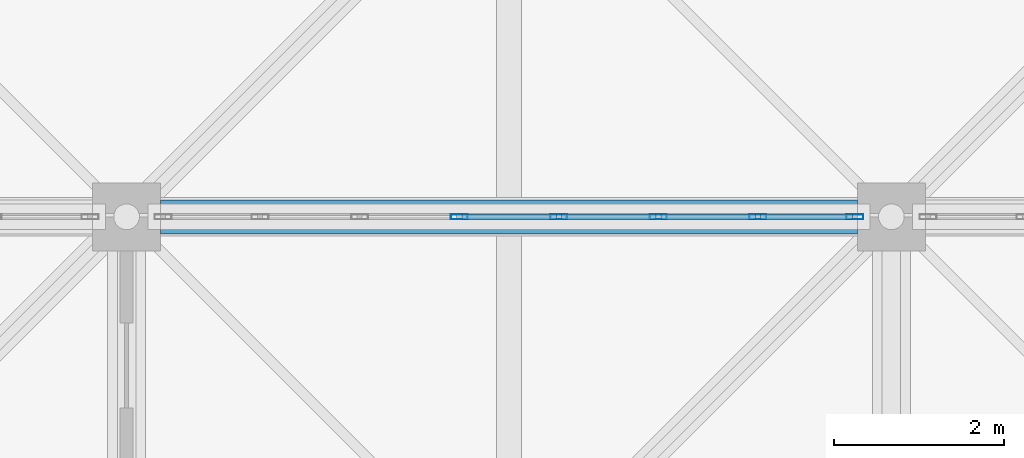
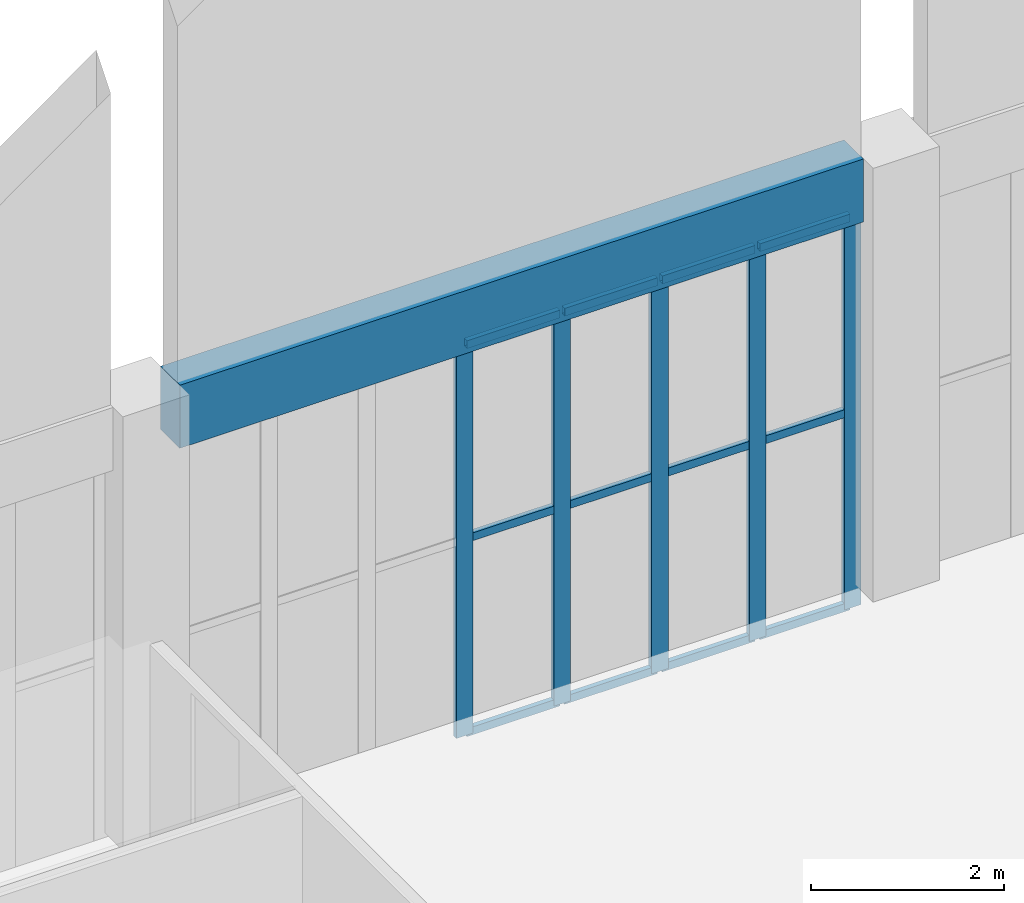
# One storey, part 117 of 437: 17 members, 1 beam, 1 element without a shape of its own.
"""IFC4 building model written with IfcOpenShell, lengths in metres."""

from ifc_helpers import new_model, si_unit, direction, frame, origin, origin_2d, place, context, subcontext, project, spatial, rectangle, hollow_rectangle, extrude, material, layer, layer_set, material_profile, profile_set, type_object, element, aggregate, save


model = new_model("IFC4")

# Units and contexts
model_context = context("Model", 3, precision=1e-05, world=origin(), true_north=direction((0.0, 1.0)))
body_context = subcontext(model_context, "Body", "Model", "MODEL_VIEW")
ifc_project = project(units=[si_unit("LENGTHUNIT", "METRE"), si_unit("AREAUNIT", "SQUARE_METRE"), si_unit("VOLUMEUNIT", "CUBIC_METRE"), si_unit("PLANEANGLEUNIT", "RADIAN"), si_unit("MASSUNIT", "GRAM", prefix="KILO")], contexts=[model_context])

# Site, building, storey
site_placement = place(None, origin())
site = spatial("IfcSite", under=ifc_project, at=site_placement, CompositionType="ELEMENT")
building_placement = place(site_placement, origin())
building = spatial("IfcBuilding", under=site, at=building_placement, Name="Opaline Strait Convention Centre", CompositionType="ELEMENT")
storey_placement = place(building_placement, frame((0.0, 0.0, 11.5)))
storey = spatial("IfcBuildingStorey", under=building, at=storey_placement, Name="L02", CompositionType="ELEMENT", Elevation=11.5)

# Curtain wall, members
ifc_material_1 = material(Name="Aluminium framed double glazing", Category="aluminium")
ifc_layer = layer(ifc_material_1, 0.199951171875)
ifc_layer_set = layer_set([ifc_layer], Name="Aluminium framed double glazing")
curtain_wall_type = type_object("IfcCurtainWallType", Name="Curtain wall 1250", PredefinedType="NOTDEFINED", material=ifc_layer_set)
curtain_wall_placement = place(storey_placement, origin())
curtain_wall = element("IfcCurtainWall", 1, at=curtain_wall_placement, inside=storey, type_object=curtain_wall_type, Name="Curtain wall N-27-L02", PredefinedType="NOTDEFINED")
ifc_material_2 = material(Name="Aluminium alloy 6063", Category="aluminium")
ifc_material_profile_1 = material_profile(ifc_material_2, hollow_rectangle(XDim=0.06005859375, YDim=0.199951171875, WallThickness=0.00390625, at=origin_2d()), Name="MULLION 60x200x4")
ifc_profile_set_1 = profile_set([ifc_material_profile_1], Name="Aluminium alloy 6063")
member_type_1 = type_object("IfcMemberType", Name="Curtain wall mullion 60 x 200", PredefinedType="MULLION", material=ifc_profile_set_1)
member_1_placement = place(storey_placement, frame((30.914306640625, 180.0, -0.280029296875), z_axis=(0.0, 0.0, 1.0), x_axis=(0.0, 1.0, 0.0)))
member_1 = element("IfcMember", 2, at=member_1_placement, type_object=member_type_1, Name="PCW mullion 4", PredefinedType="MULLION", context=body_context, shape_type="SweptSolid", body=[
    extrude(hollow_rectangle(XDim=0.06005859375, YDim=0.199951171875, WallThickness=0.00390625, at=origin_2d()), origin(), (0.0, 0.0, 1.0), 4.97998046875),
])
member_2_placement = place(storey_placement, frame((32.085693359375, 180.0, -0.280029296875), z_axis=(0.0, 0.0, 1.0), x_axis=(0.0, 1.0, 0.0)))
member_2 = element("IfcMember", 3, at=member_2_placement, type_object=member_type_1, Name="PCW mullion 5", PredefinedType="MULLION", context=body_context, shape_type="SweptSolid", body=[
    extrude(hollow_rectangle(XDim=0.06005859375, YDim=0.199951171875, WallThickness=0.00390625, at=origin_2d()), origin(), (0.0, 0.0, 1.0), 4.97998046875),
])
member_3_placement = place(storey_placement, frame((33.257080078125, 180.0, -0.280029296875), z_axis=(0.0, 0.0, 1.0), x_axis=(0.0, 1.0, 0.0)))
member_3 = element("IfcMember", 4, at=member_3_placement, type_object=member_type_1, Name="PCW mullion 6", PredefinedType="MULLION", context=body_context, shape_type="SweptSolid", body=[
    extrude(hollow_rectangle(XDim=0.06005859375, YDim=0.199951171875, WallThickness=0.00390625, at=origin_2d()), origin(), (0.0, 0.0, 1.0), 4.97998046875),
])
member_4_placement = place(storey_placement, frame((34.4287109375, 180.0, -0.280029296875), z_axis=(0.0, 0.0, 1.0), x_axis=(0.0, 1.0, 0.0)))
member_4 = element("IfcMember", 5, at=member_4_placement, type_object=member_type_1, Name="PCW mullion 7", PredefinedType="MULLION", context=body_context, shape_type="SweptSolid", body=[
    extrude(hollow_rectangle(XDim=0.06005859375, YDim=0.199951171875, WallThickness=0.00390625, at=origin_2d()), origin(), (0.0, 0.0, 1.0), 4.97998046875),
])
member_5_placement = place(storey_placement, frame((35.570068359375, 180.0, -0.280029296875), z_axis=(0.0, 0.0, 1.0), x_axis=(0.0, 1.0, 0.0)))
member_5 = element("IfcMember", 6, at=member_5_placement, type_object=member_type_1, Name="PCW mullion 8", PredefinedType="MULLION", context=body_context, shape_type="SweptSolid", body=[
    extrude(hollow_rectangle(XDim=0.06005859375, YDim=0.199951171875, WallThickness=0.00390625, at=origin_2d()), origin(), (0.0, 0.0, 1.0), 4.97998046875),
])
ifc_material_profile_2 = material_profile(ifc_material_2, hollow_rectangle(XDim=0.06005859375, YDim=0.10009765625, WallThickness=0.0029296875, at=origin_2d()), Name="TRANSOM 60x100x3")
ifc_profile_set_2 = profile_set([ifc_material_profile_2], Name="Aluminium alloy 6063")
member_type_2 = type_object("IfcMemberType", Name="Curtain wall transom 60 x 100", PredefinedType="USERDEFINED", material=ifc_profile_set_2)
member_6_placement = place(storey_placement, frame((30.9443359375, 180.0, -0.25), z_axis=(1.0, 0.0, 0.0), x_axis=(0.0, 1.0, 0.0)))
member_6 = element("IfcMember", 7, at=member_6_placement, type_object=member_type_2, Name="PCW transom 4.1", ObjectType="TRANSOM", PredefinedType="USERDEFINED", context=body_context, shape_type="SweptSolid", body=[
    extrude(hollow_rectangle(XDim=0.06005859375, YDim=0.10009765625, WallThickness=0.0029296875, at=origin_2d()), origin(), (0.0, 0.0, 1.0), 1.111328125),
])
member_7_placement = place(storey_placement, frame((30.9443359375, 180.0, 2.2099609375), z_axis=(1.0, 0.0, 0.0), x_axis=(0.0, 1.0, 0.0)))
member_7 = element("IfcMember", 8, at=member_7_placement, type_object=member_type_2, Name="PCW transom 4.2", ObjectType="TRANSOM", PredefinedType="USERDEFINED", context=body_context, shape_type="SweptSolid", body=[
    extrude(hollow_rectangle(XDim=0.06005859375, YDim=0.10009765625, WallThickness=0.0029296875, at=origin_2d()), origin(), (0.0, 0.0, 1.0), 1.111328125),
])
member_8_placement = place(storey_placement, frame((30.9443359375, 180.0, 4.669921875), z_axis=(1.0, 0.0, 0.0), x_axis=(0.0, 1.0, 0.0)))
member_8 = element("IfcMember", 9, at=member_8_placement, type_object=member_type_2, Name="PCW transom 4.3", ObjectType="TRANSOM", PredefinedType="USERDEFINED", context=body_context, shape_type="SweptSolid", body=[
    extrude(hollow_rectangle(XDim=0.06005859375, YDim=0.10009765625, WallThickness=0.0029296875, at=origin_2d()), origin(), (0.0, 0.0, 1.0), 1.111328125),
])
member_9_placement = place(storey_placement, frame((32.11572265625, 180.0, -0.25), z_axis=(1.0, 0.0, 0.0), x_axis=(0.0, 1.0, 0.0)))
member_9 = element("IfcMember", 10, at=member_9_placement, type_object=member_type_2, Name="PCW transom 5.1", ObjectType="TRANSOM", PredefinedType="USERDEFINED", context=body_context, shape_type="SweptSolid", body=[
    extrude(hollow_rectangle(XDim=0.06005859375, YDim=0.10009765625, WallThickness=0.0029296875, at=origin_2d()), origin(), (0.0, 0.0, 1.0), 1.111572265625),
])
member_10_placement = place(storey_placement, frame((32.11572265625, 180.0, 2.2099609375), z_axis=(1.0, 0.0, 0.0), x_axis=(0.0, 1.0, 0.0)))
member_10 = element("IfcMember", 11, at=member_10_placement, type_object=member_type_2, Name="PCW transom 5.2", ObjectType="TRANSOM", PredefinedType="USERDEFINED", context=body_context, shape_type="SweptSolid", body=[
    extrude(hollow_rectangle(XDim=0.06005859375, YDim=0.10009765625, WallThickness=0.0029296875, at=origin_2d()), origin(), (0.0, 0.0, 1.0), 1.111572265625),
])
member_11_placement = place(storey_placement, frame((32.11572265625, 180.0, 4.669921875), z_axis=(1.0, 0.0, 0.0), x_axis=(0.0, 1.0, 0.0)))
member_11 = element("IfcMember", 12, at=member_11_placement, type_object=member_type_2, Name="PCW transom 5.3", ObjectType="TRANSOM", PredefinedType="USERDEFINED", context=body_context, shape_type="SweptSolid", body=[
    extrude(hollow_rectangle(XDim=0.06005859375, YDim=0.10009765625, WallThickness=0.0029296875, at=origin_2d()), origin(), (0.0, 0.0, 1.0), 1.111572265625),
])
member_12_placement = place(storey_placement, frame((33.287109375, 180.0, -0.25), z_axis=(1.0, 0.0, 0.0), x_axis=(0.0, 1.0, 0.0)))
member_12 = element("IfcMember", 13, at=member_12_placement, type_object=member_type_2, Name="PCW transom 6.1", ObjectType="TRANSOM", PredefinedType="USERDEFINED", context=body_context, shape_type="SweptSolid", body=[
    extrude(hollow_rectangle(XDim=0.06005859375, YDim=0.10009765625, WallThickness=0.0029296875, at=origin_2d()), origin(), (0.0, 0.0, 1.0), 1.111572265625),
])
member_13_placement = place(storey_placement, frame((33.287109375, 180.0, 2.2099609375), z_axis=(1.0, 0.0, 0.0), x_axis=(0.0, 1.0, 0.0)))
member_13 = element("IfcMember", 14, at=member_13_placement, type_object=member_type_2, Name="PCW transom 6.2", ObjectType="TRANSOM", PredefinedType="USERDEFINED", context=body_context, shape_type="SweptSolid", body=[
    extrude(hollow_rectangle(XDim=0.06005859375, YDim=0.10009765625, WallThickness=0.0029296875, at=origin_2d()), origin(), (0.0, 0.0, 1.0), 1.111572265625),
])
member_14_placement = place(storey_placement, frame((33.287109375, 180.0, 4.669921875), z_axis=(1.0, 0.0, 0.0), x_axis=(0.0, 1.0, 0.0)))
member_14 = element("IfcMember", 15, at=member_14_placement, type_object=member_type_2, Name="PCW transom 6.3", ObjectType="TRANSOM", PredefinedType="USERDEFINED", context=body_context, shape_type="SweptSolid", body=[
    extrude(hollow_rectangle(XDim=0.06005859375, YDim=0.10009765625, WallThickness=0.0029296875, at=origin_2d()), origin(), (0.0, 0.0, 1.0), 1.111572265625),
])
member_15_placement = place(storey_placement, frame((34.458740234375, 180.0, -0.25), z_axis=(1.0, 0.0, 0.0), x_axis=(0.0, 1.0, 0.0)))
member_15 = element("IfcMember", 16, at=member_15_placement, type_object=member_type_2, Name="PCW transom 7.1", ObjectType="TRANSOM", PredefinedType="USERDEFINED", context=body_context, shape_type="SweptSolid", body=[
    extrude(hollow_rectangle(XDim=0.06005859375, YDim=0.10009765625, WallThickness=0.0029296875, at=origin_2d()), origin(), (0.0, 0.0, 1.0), 1.081298828125),
])
member_16_placement = place(storey_placement, frame((34.458740234375, 180.0, 2.2099609375), z_axis=(1.0, 0.0, 0.0), x_axis=(0.0, 1.0, 0.0)))
member_16 = element("IfcMember", 17, at=member_16_placement, type_object=member_type_2, Name="PCW transom 7.2", ObjectType="TRANSOM", PredefinedType="USERDEFINED", context=body_context, shape_type="SweptSolid", body=[
    extrude(hollow_rectangle(XDim=0.06005859375, YDim=0.10009765625, WallThickness=0.0029296875, at=origin_2d()), origin(), (0.0, 0.0, 1.0), 1.081298828125),
])
member_17_placement = place(storey_placement, frame((34.458740234375, 180.0, 4.669921875), z_axis=(1.0, 0.0, 0.0), x_axis=(0.0, 1.0, 0.0)))
member_17 = element("IfcMember", 18, at=member_17_placement, type_object=member_type_2, Name="PCW transom 7.3", ObjectType="TRANSOM", PredefinedType="USERDEFINED", context=body_context, shape_type="SweptSolid", body=[
    extrude(hollow_rectangle(XDim=0.06005859375, YDim=0.10009765625, WallThickness=0.0029296875, at=origin_2d()), origin(), (0.0, 0.0, 1.0), 1.081298828125),
])
aggregate(curtain_wall, [member_1, member_2, member_3, member_4, member_5, member_6, member_7, member_8, member_9, member_10, member_11, member_12, member_13, member_14, member_15, member_16, member_17])

# Beam
ifc_material_3 = material(Name="Concrete C35", Category="concrete")
ifc_material_profile_3 = material_profile(ifc_material_3, rectangle(XDim=0.39990234375, YDim=0.800048828125, at=origin_2d()), Name="RC 400x800")
ifc_profile_set_3 = profile_set([ifc_material_profile_3], Name="Concrete C35")
beam_type = type_object("IfcBeamType", Name="RC ground beam 400x800 C35", PredefinedType="BEAM", material=ifc_profile_set_3)
beam_placement = place(storey_placement, frame((27.39990234375, 180.0, 5.10009765625), z_axis=(1.0, 0.0, 0.0), x_axis=(0.0, 1.0, 0.0)))
element("IfcBeam", 19, at=beam_placement, inside=storey, type_object=beam_type, Name="PGB1 end wall head beam 3", PredefinedType="BEAM", context=body_context, shape_type="SweptSolid", body=[
    extrude(rectangle(XDim=0.39990234375, YDim=0.800048828125, at=origin_2d()), origin(), (0.0, 0.0, 1.0), 8.2001953125),
])

save(model, "model.ifc")
